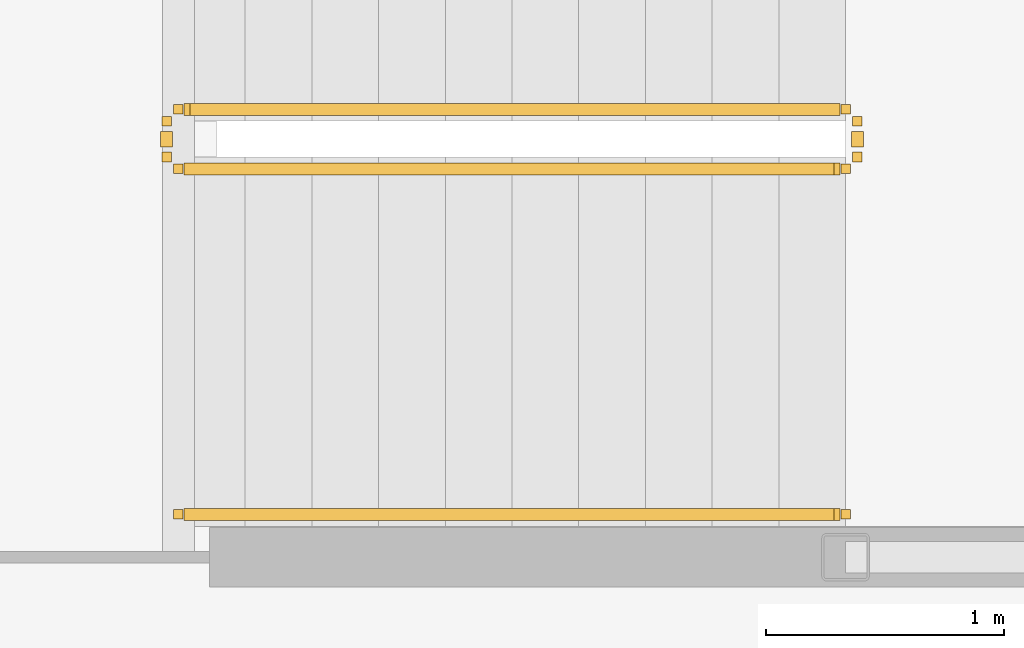
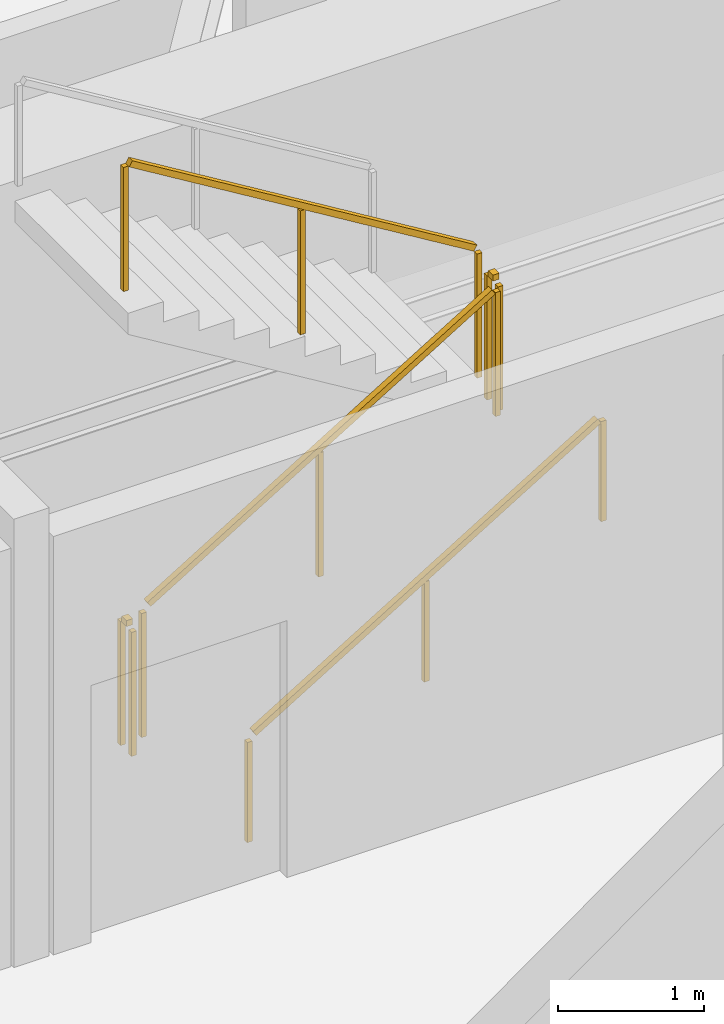
# One storey, part 19 of 20: 5 railings.
"""IFC4 building model written with IfcOpenShell, lengths in metres."""

from ifc_helpers import new_model, si_unit, direction, frame, origin, origin_2d, place, context, subcontext, project, spatial, rectangle, extrude, material, type_object, element, save


model = new_model("IFC4")

# Units and contexts
model_context = context("Model", 3, precision=1e-05, world=origin(), true_north=direction((0.0, 1.0)))
body_context = subcontext(model_context, "Body", "Model", "MODEL_VIEW")
ifc_project = project(units=[si_unit("LENGTHUNIT", "METRE"), si_unit("AREAUNIT", "SQUARE_METRE"), si_unit("VOLUMEUNIT", "CUBIC_METRE"), si_unit("PLANEANGLEUNIT", "RADIAN"), si_unit("MASSUNIT", "GRAM", prefix="KILO")], contexts=[model_context])

# Site, building, storey
site_placement = place(None, origin())
site = spatial("IfcSite", under=ifc_project, at=site_placement, CompositionType="ELEMENT")
building_placement = place(site_placement, origin())
building = spatial("IfcBuilding", under=site, at=building_placement, Name="Kazma Halo Residences", CompositionType="ELEMENT")
storey_placement = place(building_placement, frame((0.0, 0.0, 142.800048828125)))
storey = spatial("IfcBuildingStorey", under=building, at=storey_placement, Name="L35", CompositionType="ELEMENT", Elevation=142.800048828125)

# Railings
ifc_material_1 = material(Name="Painted Steel S355", Category="steel")
railing_type_1 = type_object("IfcRailingType", Name="RLG-STAIR-GRD-1100", PredefinedType="GUARDRAIL", material=ifc_material_1)
railing_1_placement = place(storey_placement, frame((53.199951171875, 48.25, 0.17041015625)))
element("IfcRailing", 1, at=railing_1_placement, inside=storey, type_object=railing_type_1, Name="L35 ST-02 stair guard 1", PredefinedType="GUARDRAIL", context=body_context, shape_type="SweptSolid", body=[
    extrude(rectangle(XDim=0.050048828125, YDim=0.050048828125, at=origin_2d()), frame((0.036376953125, 0.0, 1.09716796875), z_axis=(0.854169791009, 0.0, 0.51999420009), x_axis=(0.0, 1.0, 0.0)), (0.0, 0.0, 1.0), 3.193115234375),
    extrude(rectangle(XDim=0.0400390625, YDim=0.0400390625, at=origin_2d()), origin(), (0.0, 0.0, 1.0), 1.0380859375),
    extrude(rectangle(XDim=0.0400390625, YDim=0.0400390625, at=origin_2d()), frame((1.39990234375, 0.0, 0.852294921875)), (0.0, 0.0, 1.0), 1.0380859375),
    extrude(rectangle(XDim=0.0400390625, YDim=0.0400390625, at=origin_2d()), frame((2.800048828125, 0.0, 1.70458984375)), (0.0, 0.0, 1.0), 1.0380859375),
])
railing_2_placement = place(storey_placement, frame((56.050048828125, 48.300048828125, 1.875)))
element("IfcRailing", 2, at=railing_2_placement, inside=storey, type_object=railing_type_1, Name="L35 ST-02 stair guard 2", PredefinedType="GUARDRAIL", context=body_context, shape_type="SweptSolid", body=[
    extrude(rectangle(XDim=0.050048828125, YDim=0.050048828125, at=origin_2d()), frame((0.0, 0.04248046875, 1.0751953125), z_axis=(0.0, 1.0, 0.0), x_axis=(-1.0, 0.0, 0.0)), (0.0, 0.0, 1.0), 0.06494140625),
    extrude(rectangle(XDim=0.0400390625, YDim=0.0400390625, at=origin_2d()), origin(), (0.0, 0.0, 1.0), 1.0380859375),
    extrude(rectangle(XDim=0.0400390625, YDim=0.0400390625, at=origin_2d()), frame((0.0, 0.14990234375, 0.0)), (0.0, 0.0, 1.0), 1.0380859375),
])
railing_3_placement = place(storey_placement, frame((56.0, 48.5, 2.04541015625)))
element("IfcRailing", 3, at=railing_3_placement, inside=storey, type_object=railing_type_1, Name="L35 ST-02 stair guard 3", PredefinedType="GUARDRAIL", context=body_context, shape_type="SweptSolid", body=[
    extrude(rectangle(XDim=0.050048828125, YDim=0.050048828125, at=origin_2d()), frame((-0.036376953125, 0.0, 1.09716796875), z_axis=(-0.854169791009, 0.0, 0.51999420009), x_axis=(0.0, -1.0, 0.0)), (0.0, 0.0, 1.0), 3.193115234375),
    extrude(rectangle(XDim=0.0400390625, YDim=0.0400390625, at=origin_2d()), origin(), (0.0, 0.0, 1.0), 1.0380859375),
    extrude(rectangle(XDim=0.0400390625, YDim=0.0400390625, at=origin_2d()), frame((-1.39990234375, 0.0, 0.852294921875)), (0.0, 0.0, 1.0), 1.0380859375),
    extrude(rectangle(XDim=0.0400390625, YDim=0.0400390625, at=origin_2d()), frame((-2.800048828125, 0.0, 1.70458984375)), (0.0, 0.0, 1.0), 1.0380859375),
])
railing_4_placement = place(storey_placement, frame((53.14990234375, 48.300048828125, 0.0)))
element("IfcRailing", 4, at=railing_4_placement, inside=storey, type_object=railing_type_1, Name="L35 ST-02 stair guard 4", PredefinedType="GUARDRAIL", context=body_context, shape_type="SweptSolid", body=[
    extrude(rectangle(XDim=0.050048828125, YDim=0.050048828125, at=origin_2d()), frame((0.0, 0.04248046875, 1.0751953125), z_axis=(0.0, 1.0, 0.0), x_axis=(-1.0, 0.0, 0.0)), (0.0, 0.0, 1.0), 0.06494140625),
    extrude(rectangle(XDim=0.0400390625, YDim=0.0400390625, at=origin_2d()), origin(), (0.0, 0.0, 1.0), 1.0380859375),
    extrude(rectangle(XDim=0.0400390625, YDim=0.0400390625, at=origin_2d()), frame((0.0, 0.14990234375, 0.0)), (0.0, 0.0, 1.0), 1.0380859375),
])
ifc_material_2 = material(Name="Brushed Stainless Steel", Category="steel")
railing_type_2 = type_object("IfcRailingType", Name="RLG-STAIR-HND-900", PredefinedType="HANDRAIL", material=ifc_material_2)
railing_5_placement = place(storey_placement, frame((53.199951171875, 46.800048828125, 0.17041015625)))
element("IfcRailing", 5, at=railing_5_placement, inside=storey, type_object=railing_type_2, Name="L35 ST-02 stair handrail 1", PredefinedType="HANDRAIL", context=body_context, shape_type="SweptSolid", body=[
    extrude(rectangle(XDim=0.050048828125, YDim=0.050048828125, at=origin_2d()), frame((0.036376953125, 0.0, 0.89697265625), z_axis=(0.854169791009, 0.0, 0.51999420009), x_axis=(0.0, 1.0, 0.0)), (0.0, 0.0, 1.0), 3.193115234375),
    extrude(rectangle(XDim=0.0400390625, YDim=0.0400390625, at=origin_2d()), origin(), (0.0, 0.0, 1.0), 0.837890625),
    extrude(rectangle(XDim=0.0400390625, YDim=0.0400390625, at=origin_2d()), frame((1.39990234375, 0.0, 0.852294921875)), (0.0, 0.0, 1.0), 0.837890625),
    extrude(rectangle(XDim=0.0400390625, YDim=0.0400390625, at=origin_2d()), frame((2.800048828125, 0.0, 1.70458984375)), (0.0, 0.0, 1.0), 0.837890625),
])

save(model, "model.ifc")
